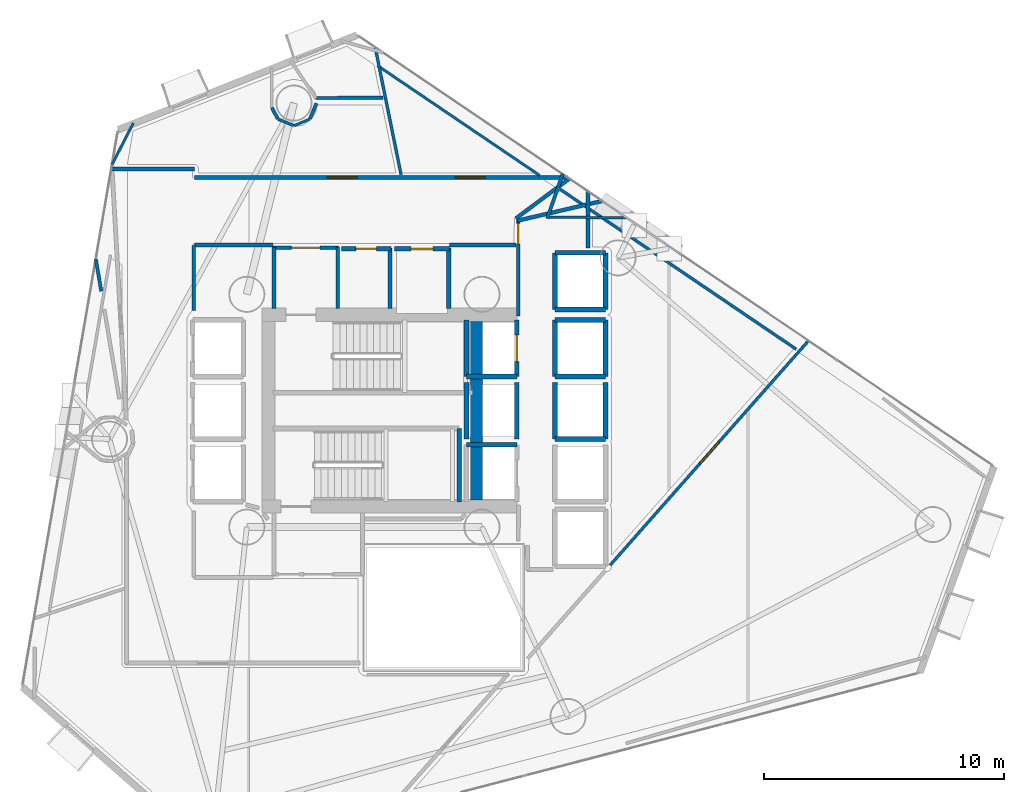
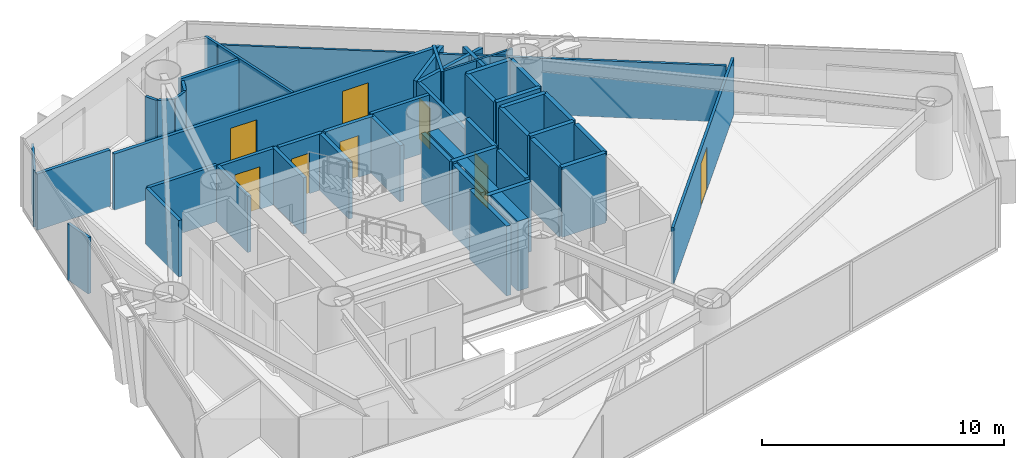
# One storey, part 17 of 21: 48 walls, 8 doors, 8 openings.
"""IFC4 building model written with IfcOpenShell, lengths in metres."""

from ifc_helpers import new_model, si_unit, direction, frame, frame_2d, origin, place, context, subcontext, project, spatial, rectangle, extrude, material, layer, layer_set, type_object, element, fill, save


model = new_model("IFC4")

# Units and contexts
model_context = context("Model", 3, precision=1e-05, world=origin(), true_north=direction((0.0, 1.0)))
body_context = subcontext(model_context, "Body", "Model", "MODEL_VIEW")
ifc_project = project(units=[si_unit("LENGTHUNIT", "METRE"), si_unit("AREAUNIT", "SQUARE_METRE"), si_unit("VOLUMEUNIT", "CUBIC_METRE"), si_unit("PLANEANGLEUNIT", "RADIAN"), si_unit("MASSUNIT", "GRAM", prefix="KILO")], contexts=[model_context])

# Site, building, storey
site_placement = place(None, origin())
site = spatial("IfcSite", under=ifc_project, at=site_placement, CompositionType="ELEMENT")
building_placement = place(site_placement, origin())
building = spatial("IfcBuilding", under=site, at=building_placement, Name="Qianvela Tower", CompositionType="ELEMENT")
storey_placement = place(building_placement, frame((0.0, 0.0, 105.199951171875)))
storey = spatial("IfcBuildingStorey", under=building, at=storey_placement, Name="L26", CompositionType="ELEMENT", Elevation=105.199951171875)

# Walls
ifc_material_1 = material(Name="Concrete C60", Category="concrete")
ifc_layer_1 = layer(ifc_material_1, 0.550048828125)
ifc_layer_set_1 = layer_set([ifc_layer_1], Name="Concrete C60")
wall_type_1 = type_object("IfcWallType", Name="WT-CORE-550", PredefinedType="SHEAR", material=ifc_layer_set_1)
wall_1_placement = place(storey_placement, frame((38.179931640625, 24.97998046875, 0.0), z_axis=(0.0, 0.0, 1.0), x_axis=(0.0, 1.0, 0.0)))
element("IfcWall", 1, at=wall_1_placement, inside=storey, type_object=wall_type_1, Name="L26 East Spine Core Shear Wall", PredefinedType="SHEAR", context=body_context, shape_type="SweptSolid", body=[
    extrude(rectangle(XDim=7.43994140625, YDim=0.5, at=frame_2d((3.719970703125, 0.0))), origin(), (0.0, 0.0, 1.0), 3.52001953125),
])
ifc_material_2 = material(Name="Fire-Rated Gypsum and Concrete Block", Category="concrete")
ifc_layer_2 = layer(ifc_material_2, 0.159912109375)
ifc_layer_set_2 = layer_set([ifc_layer_2], Name="Fire-Rated Gypsum and Concrete Block")
wall_type_2 = type_object("IfcWallType", Name="WT-CORR-160", PredefinedType="PARTITIONING", material=ifc_layer_set_2)
wall_2_placement = place(storey_placement, frame((29.73095703125, 32.9580078125, 0.0), z_axis=(0.0, 0.0, 1.0), x_axis=(0.0, 1.0, 0.0)))
element("IfcWall", 2, at=wall_2_placement, inside=storey, type_object=wall_type_2, Name="L26 Partition 2", PredefinedType="PARTITIONING", context=body_context, shape_type="SweptSolid", body=[
    extrude(rectangle(XDim=2.56201171875, YDim=0.159912109375, at=frame_2d((1.281005859375, 0.0))), origin(), (0.0, 0.0, 1.0), 2.840087890625),
])

# Wall, opening, door
wall_3_placement = place(storey_placement, frame((29.699951171875, 35.489013671875, 0.0), z_axis=(0.0, 0.0, 1.0), x_axis=(1.0, 0.0, 0.0)))
wall_3 = element("IfcWall", 3, at=wall_3_placement, inside=storey, type_object=wall_type_2, Name="L26 Partition 3", PredefinedType="PARTITIONING", context=body_context, shape_type="SweptSolid", body=[
    extrude(rectangle(XDim=2.719970703125, YDim=0.159912109375, at=frame_2d((1.35986328125, 0.0))), origin(), (0.0, 0.0, 1.0), 2.840087890625),
])
opening_1_placement = place(wall_3_placement, frame((0.760009765625, 0.0, 0.0)))
opening_1 = element("IfcOpeningElement", 4, at=opening_1_placement, cuts=wall_3, Name="Opening D-LB1", PredefinedType="OPENING", context=body_context, shape_type="SweptSolid", body=[
    extrude(rectangle(XDim=1.199951171875, YDim=2.14990234375, at=frame_2d((0.60009765625, 1.074951171875))), frame((0.0, 0.08984375, 0.0), z_axis=(0.0, -1.0, 0.0), x_axis=(1.0, 0.0, 0.0)), (0.0, 0.0, 1.0), 0.179931640625),
])
ifc_material_3 = material(Name="Glazed Fire-Rated Steel Frame", Category="steel")
door_type_1 = type_object("IfcDoorType", Name="DT-LOBBY-FD90", OperationType="NOTDEFINED", PredefinedType="DOOR", material=ifc_material_3)
door_1_placement = place(opening_1_placement, origin())
door_1 = element("IfcDoor", 5, at=door_1_placement, inside=storey, type_object=door_type_1, Name="L26 Door L26 Firefighting Lobby North to L26 Floor Corridor", OperationType="SINGLE_SWING_RIGHT", OverallHeight=2.14990234375, OverallWidth=1.199951171875, PredefinedType="DOOR", context=body_context, shape_type="SweptSolid", body=[
    extrude(rectangle(XDim=1.199951171875, YDim=2.14990234375, at=frame_2d((0.60009765625, 1.074951171875))), frame((0.0, 0.02490234375, 0.0), z_axis=(0.0, -1.0, 0.0), x_axis=(1.0, 0.0, 0.0)), (0.0, 0.0, 1.0), 0.050048828125),
])
fill(opening_1, door_1)

# Wall
wall_4_placement = place(storey_placement, frame((32.388916015625, 35.52001953125, 0.0), z_axis=(0.0, 0.0, 1.0), x_axis=(0.0, -1.0, 0.0)))
element("IfcWall", 6, at=wall_4_placement, inside=storey, type_object=wall_type_2, Name="L26 Partition 4", PredefinedType="PARTITIONING", context=body_context, shape_type="SweptSolid", body=[
    extrude(rectangle(XDim=2.56201171875, YDim=0.159912109375, at=frame_2d((1.281005859375, 0.0))), origin(), (0.0, 0.0, 1.0), 2.840087890625),
])

# Wall, opening, door
wall_5_placement = place(storey_placement, frame((39.910888671875, 32.639892578125, 0.0), z_axis=(0.0, 0.0, 1.0), x_axis=(0.0, 1.0, 0.0)))
wall_5 = element("IfcWall", 7, at=wall_5_placement, inside=storey, type_object=wall_type_2, Name="L26 Partition 10", PredefinedType="PARTITIONING", context=body_context, shape_type="SweptSolid", body=[
    extrude(rectangle(XDim=4.010009765625, YDim=0.159912109375, at=frame_2d((2.0048828125, 0.0))), origin(), (0.0, 0.0, 1.0), 2.840087890625),
])
opening_2_placement = place(wall_5_placement, frame((3.010009765625, 0.0, 0.0)))
opening_2 = element("IfcOpeningElement", 8, at=opening_2_placement, cuts=wall_5, Name="Opening D-LB2", PredefinedType="OPENING", context=body_context, shape_type="SweptSolid", body=[
    extrude(rectangle(XDim=0.860107421875, YDim=2.050048828125, at=frame_2d((0.43017578125, 1.02490234375))), frame((0.0, 0.08984375, 0.0), z_axis=(0.0, -1.0, 0.0), x_axis=(1.0, 0.0, 0.0)), (0.0, 0.0, 1.0), 0.179931640625),
])
ifc_material_4 = material(Name="Insulated Steel Fire Door Q355B", Category="steel")
door_type_2 = type_object("IfcDoorType", Name="DT-LOBBY-FD90-860", OperationType="NOTDEFINED", PredefinedType="DOOR", material=ifc_material_4)
door_2_placement = place(opening_2_placement, origin())
door_2 = element("IfcDoor", 9, at=door_2_placement, inside=storey, type_object=door_type_2, Name="L26 Door L26 Lift Lobby to L26 Floor Corridor", OperationType="SINGLE_SWING_LEFT", OverallHeight=2.050048828125, OverallWidth=0.860107421875, PredefinedType="DOOR", context=body_context, shape_type="SweptSolid", body=[
    extrude(rectangle(XDim=0.860107421875, YDim=2.050048828125, at=frame_2d((0.43017578125, 1.02490234375))), frame((0.0, 0.02490234375, 0.0), z_axis=(0.0, -1.0, 0.0), x_axis=(1.0, 0.0, 0.0)), (0.0, 0.0, 1.0), 0.050048828125),
])
fill(opening_2, door_2)

# Walls
wall_6_placement = place(storey_placement, frame((39.8798828125, 36.618896484375, 0.0), z_axis=(0.0, 0.0, 1.0), x_axis=(0.973960950435, 0.2267158288, 0.0)))
element("IfcWall", 10, at=wall_6_placement, inside=storey, type_object=wall_type_2, Name="L26 Partition 11", PredefinedType="PARTITIONING", context=body_context, shape_type="SweptSolid", body=[
    extrude(rectangle(XDim=3.620361328125, YDim=0.159912109375, at=frame_2d((1.81005859375, 0.0))), origin(), (0.0, 0.0, 1.0), 2.840087890625),
])
wall_7_placement = place(storey_placement, frame((42.819091796875, 37.857177734375, 0.0), z_axis=(0.0, 0.0, 1.0), x_axis=(0.0, -1.0, 0.0)))
element("IfcWall", 11, at=wall_7_placement, inside=storey, type_object=wall_type_2, Name="L26 Partition 12", PredefinedType="PARTITIONING", context=body_context, shape_type="SweptSolid", body=[
    extrude(rectangle(XDim=2.377197265625, YDim=0.159912109375, at=frame_2d((1.1884765625, 0.0))), origin(), (0.0, 0.0, 1.0), 2.840087890625),
])
wall_8_placement = place(storey_placement, frame((22.93359375, 38.76904296875, 0.0), z_axis=(0.0, 0.0, 1.0), x_axis=(1.0, 0.0, 0.0)))
element("IfcWall", 12, at=wall_8_placement, inside=storey, type_object=wall_type_2, Name="L26 Partition 41", PredefinedType="PARTITIONING", context=body_context, shape_type="SweptSolid", body=[
    extrude(rectangle(XDim=3.486328125, YDim=0.159912109375, at=frame_2d((1.7431640625, 0.0))), origin(), (0.0, 0.0, 1.0), 2.840087890625),
])

# Wall, openings, doors
wall_9_placement = place(storey_placement, frame((26.419921875, 38.4189453125, 0.0), z_axis=(0.0, 0.0, 1.0), x_axis=(1.0, 0.0, 0.0)))
wall_9 = element("IfcWall", 13, at=wall_9_placement, inside=storey, type_object=wall_type_2, Name="L26 Partition 42", PredefinedType="PARTITIONING", context=body_context, shape_type="SweptSolid", body=[
    extrude(rectangle(XDim=15.56005859375, YDim=0.159912109375, at=frame_2d((7.780029296875, 0.0))), origin(), (0.0, 0.0, 1.0), 2.840087890625),
])
opening_3_placement = place(wall_9_placement, frame((10.865478515625, 0.0, 0.0)))
opening_3 = element("IfcOpeningElement", 14, at=opening_3_placement, cuts=wall_9, Name="Opening D-LG1", PredefinedType="OPENING", context=body_context, shape_type="SweptSolid", body=[
    extrude(rectangle(XDim=1.25, YDim=2.199951171875, at=frame_2d((0.625, 1.10009765625))), frame((0.0, 0.08984375, 0.0), z_axis=(0.0, -1.0, 0.0), x_axis=(1.0, 0.0, 0.0)), (0.0, 0.0, 1.0), 0.179931640625),
])
opening_4_placement = place(wall_9_placement, frame((5.531982421875, 0.0, 0.0)))
opening_4 = element("IfcOpeningElement", 15, at=opening_4_placement, cuts=wall_9, Name="Opening D-LG1", PredefinedType="OPENING", context=body_context, shape_type="SweptSolid", body=[
    extrude(rectangle(XDim=1.25, YDim=2.199951171875, at=frame_2d((0.625, 1.10009765625))), frame((0.0, 0.08984375, 0.0), z_axis=(0.0, -1.0, 0.0), x_axis=(1.0, 0.0, 0.0)), (0.0, 0.0, 1.0), 0.179931640625),
])
ifc_material_5 = material(Name="Anodised Aluminium Acoustic Glass Door", Category="aluminium")
door_type_3 = type_object("IfcDoorType", Name="DT-LOUNGE-1250", OperationType="NOTDEFINED", PredefinedType="DOOR", material=ifc_material_5)
door_3_placement = place(opening_3_placement, origin())
door_3 = element("IfcDoor", 16, at=door_3_placement, inside=storey, type_object=door_type_3, Name="L26 Door Quiet Desk Workspace L26-02 to L26 Floor Corridor", OperationType="SINGLE_SWING_RIGHT", OverallHeight=2.199951171875, OverallWidth=1.25, PredefinedType="DOOR", context=body_context, shape_type="SweptSolid", body=[
    extrude(rectangle(XDim=1.25, YDim=2.199951171875, at=frame_2d((0.625, 1.10009765625))), frame((0.0, 0.02490234375, 0.0), z_axis=(0.0, -1.0, 0.0), x_axis=(1.0, 0.0, 0.0)), (0.0, 0.0, 1.0), 0.050048828125),
])
fill(opening_3, door_3)
door_4_placement = place(opening_4_placement, origin())
door_4 = element("IfcDoor", 17, at=door_4_placement, inside=storey, type_object=door_type_3, Name="L26 Door Academic Cellular Office L26-03 to L26 Floor Corridor", OperationType="SINGLE_SWING_LEFT", OverallHeight=2.199951171875, OverallWidth=1.25, PredefinedType="DOOR", context=body_context, shape_type="SweptSolid", body=[
    extrude(rectangle(XDim=1.25, YDim=2.199951171875, at=frame_2d((0.625, 1.10009765625))), frame((0.0, 0.02490234375, 0.0), z_axis=(0.0, -1.0, 0.0), x_axis=(1.0, 0.0, 0.0)), (0.0, 0.0, 1.0), 0.050048828125),
])
fill(opening_4, door_4)

# Walls
wall_10_placement = place(storey_placement, frame((42.05322265625, 38.378662109375, 0.0), z_axis=(0.0, 0.0, 1.0), x_axis=(-0.802246834953, -0.596992475504, 0.0)))
element("IfcWall", 18, at=wall_10_placement, inside=storey, type_object=wall_type_2, Name="L26 Partition 44", PredefinedType="PARTITIONING", context=body_context, shape_type="SweptSolid", body=[
    extrude(rectangle(XDim=2.79638671875, YDim=0.159912109375, at=frame_2d((1.398193359375, 0.0))), origin(), (0.0, 0.0, 1.0), 2.840087890625),
])
wall_11_placement = place(storey_placement, frame((39.818115234375, 35.611083984375, 0.0), z_axis=(0.0, 0.0, 1.0), x_axis=(-1.0, 0.0, 0.0)))
element("IfcWall", 19, at=wall_11_placement, inside=storey, type_object=wall_type_2, Name="L26 Partition 46 seg 1", PredefinedType="PARTITIONING", context=body_context, shape_type="SweptSolid", body=[
    extrude(rectangle(XDim=2.76806640625, YDim=0.159912109375, at=frame_2d((1.384033203125, 0.0))), origin(), (0.0, 0.0, 1.0), 2.840087890625),
])
wall_12_placement = place(storey_placement, frame((29.699951171875, 35.611083984375, 0.0), z_axis=(0.0, 0.0, 1.0), x_axis=(-1.0, 0.0, 0.0)))
element("IfcWall", 20, at=wall_12_placement, inside=storey, type_object=wall_type_2, Name="L26 Partition 46 seg 4", PredefinedType="PARTITIONING", context=body_context, shape_type="SweptSolid", body=[
    extrude(rectangle(XDim=3.280029296875, YDim=0.159912109375, at=frame_2d((1.64013671875, 0.0))), origin(), (0.0, 0.0, 1.0), 2.840087890625),
])
wall_13_placement = place(storey_placement, frame((26.388916015625, 35.580078125, 0.0), z_axis=(0.0, 0.0, 1.0), x_axis=(0.0, -1.0, 0.0)))
element("IfcWall", 21, at=wall_13_placement, inside=storey, type_object=wall_type_2, Name="L26 Partition 47", PredefinedType="PARTITIONING", context=body_context, shape_type="SweptSolid", body=[
    extrude(rectangle(XDim=2.71044921875, YDim=0.159912109375, at=frame_2d((1.355224609375, 0.0))), origin(), (0.0, 0.0, 1.0), 2.840087890625),
])
ifc_material_6 = material(Name="Lightweight Gypsum Room Partition")
ifc_layer_3 = layer(ifc_material_6, 0.10498046875)
ifc_layer_set_3 = layer_set([ifc_layer_3], Name="Lightweight Gypsum Room Partition")
wall_type_3 = type_object("IfcWallType", Name="WT-PART-105", PredefinedType="PARTITIONING", material=ifc_layer_set_3)
wall_14_placement = place(storey_placement, frame((44.45361328125, 36.743408203125, 0.0), z_axis=(0.0, 0.0, 1.0), x_axis=(-0.999986322379, 0.005230205958, 0.0)))
element("IfcWall", 22, at=wall_14_placement, inside=storey, type_object=wall_type_3, Name="L26 Partition 77", PredefinedType="PARTITIONING", context=body_context, shape_type="SweptSolid", body=[
    extrude(rectangle(XDim=3.36083984375, YDim=0.10498046875, at=frame_2d((1.680419921875, 0.0))), origin(), (0.0, 0.0, 1.0), 2.840087890625),
])
wall_15_placement = place(storey_placement, frame((34.05224609375, 43.079833984375, 0.0), z_axis=(0.0, 0.0, 1.0), x_axis=(0.827934826591, -0.560824324471, 0.0)))
element("IfcWall", 23, at=wall_15_placement, inside=storey, type_object=wall_type_3, Name="L26 Partition 83", PredefinedType="PARTITIONING", context=body_context, shape_type="SweptSolid", body=[
    extrude(rectangle(XDim=8.158447265625, YDim=0.10498046875, at=frame_2d((4.0791015625, 0.0))), origin(), (0.0, 0.0, 1.0), 2.840087890625),
])
wall_16_placement = place(storey_placement, frame((22.988037109375, 38.96826171875, 0.0), z_axis=(0.0, 0.0, 1.0), x_axis=(0.456105833623, 0.889925541006, 0.0)))
element("IfcWall", 24, at=wall_16_placement, inside=storey, type_object=wall_type_3, Name="L26 Partition 86", PredefinedType="PARTITIONING", context=body_context, shape_type="SweptSolid", body=[
    extrude(rectangle(XDim=1.927978515625, YDim=0.10498046875, at=frame_2d((0.9638671875, 0.0))), origin(), (0.0, 0.0, 1.0), 2.840087890625),
])
wall_17_placement = place(storey_placement, frame((30.575927734375, 40.58251953125, 0.0), z_axis=(0.0, 0.0, 1.0), x_axis=(0.923935648299, 0.382547928764, 0.0)))
element("IfcWall", 25, at=wall_17_placement, inside=storey, type_object=wall_type_3, Name="L26 Partition 98", PredefinedType="PARTITIONING", context=body_context, shape_type="SweptSolid", body=[
    extrude(rectangle(XDim=0.6962890625, YDim=0.10498046875, at=frame_2d((0.34814453125, 0.0))), origin(), (0.0, 0.0, 1.0), 2.840087890625),
])

# Wall, opening, door
ifc_material_7 = material(Name="Insulated Gypsum Stud Partition")
ifc_layer_4 = layer(ifc_material_7, 0.1201171875)
ifc_layer_set_4 = layer_set([ifc_layer_4], Name="Insulated Gypsum Stud Partition")
wall_type_4 = type_object("IfcWallType", Name="WT-PART-120", PredefinedType="PARTITIONING", material=ifc_layer_set_4)
wall_18_placement = place(storey_placement, frame((43.74267578125, 22.263916015625, 0.0), z_axis=(0.0, 0.0, 1.0), x_axis=(0.662202897959, 0.749324577159, 0.0)))
wall_18 = element("IfcWall", 26, at=wall_18_placement, inside=storey, type_object=wall_type_4, Name="L26 Partition 64", PredefinedType="PARTITIONING", context=body_context, shape_type="SweptSolid", body=[
    extrude(rectangle(XDim=12.498291015625, YDim=0.1201171875, at=frame_2d((6.2490234375, 0.0))), origin(), (0.0, 0.0, 1.0), 2.840087890625),
])
opening_5_placement = place(wall_18_placement, frame((5.6240234375, 0.0, 0.0)))
opening_5 = element("IfcOpeningElement", 27, at=opening_5_placement, cuts=wall_18, Name="Opening D-LG1", PredefinedType="OPENING", context=body_context, shape_type="SweptSolid", body=[
    extrude(rectangle(XDim=1.25, YDim=2.199951171875, at=frame_2d((0.625, 1.10009765625))), frame((0.0, 0.070068359375, 0.0), z_axis=(0.0, -1.0, 0.0), x_axis=(1.0, 0.0, 0.0)), (0.0, 0.0, 1.0), 0.14013671875),
])
door_5_placement = place(opening_5_placement, origin())
door_5 = element("IfcDoor", 28, at=door_5_placement, inside=storey, type_object=door_type_3, Name="L26 Door Academic Cellular Office L26-01C to Quiet Desk Workspace L26-01B", OperationType="SINGLE_SWING_RIGHT", OverallHeight=2.199951171875, OverallWidth=1.25, PredefinedType="DOOR", context=body_context, shape_type="SweptSolid", body=[
    extrude(rectangle(XDim=1.25, YDim=2.199951171875, at=frame_2d((0.625, 1.10009765625))), frame((0.0, 0.02490234375, 0.0), z_axis=(0.0, -1.0, 0.0), x_axis=(1.0, 0.0, 0.0)), (0.0, 0.0, 1.0), 0.050048828125),
])
fill(opening_5, door_5)

# Walls
wall_19_placement = place(storey_placement, frame((41.650146484375, 37.93310546875, 0.0), z_axis=(0.0, 0.0, 1.0), x_axis=(0.827941747022, -0.560814107827, 0.0)))
element("IfcWall", 29, at=wall_19_placement, inside=storey, type_object=wall_type_4, Name="L26 Partition 79", PredefinedType="PARTITIONING", context=body_context, shape_type="SweptSolid", body=[
    extrude(rectangle(XDim=11.89501953125, YDim=0.1201171875, at=frame_2d((5.947509765625, 0.0))), origin(), (0.0, 0.0, 1.0), 2.840087890625),
])
wall_20_placement = place(storey_placement, frame((35.029052734375, 38.5361328125, 0.0), z_axis=(0.0, 0.0, 1.0), x_axis=(-0.198965568746, 0.980006480822, 0.0)))
element("IfcWall", 30, at=wall_20_placement, inside=storey, type_object=wall_type_4, Name="L26 Partition 82", PredefinedType="PARTITIONING", context=body_context, shape_type="SweptSolid", body=[
    extrude(rectangle(XDim=5.435791015625, YDim=0.1201171875, at=frame_2d((2.7177734375, 0.0))), origin(), (0.0, 0.0, 1.0), 2.840087890625),
])
wall_21_placement = place(storey_placement, frame((29.90869140625, 40.848876953125, 0.0), z_axis=(0.0, 0.0, 1.0), x_axis=(0.923935648299, -0.382547928764, 0.0)))
element("IfcWall", 31, at=wall_21_placement, inside=storey, type_object=wall_type_4, Name="L26 Partition 97", PredefinedType="PARTITIONING", context=body_context, shape_type="SweptSolid", body=[
    extrude(rectangle(XDim=0.6962890625, YDim=0.1201171875, at=frame_2d((0.34814453125, 0.0))), origin(), (0.0, 0.0, 1.0), 2.840087890625),
])

# Wall, opening, door
ifc_material_8 = material(Name="Moisture-Resistant Acoustic Plumbing Wall")
ifc_layer_5 = layer(ifc_material_8, 0.175048828125)
ifc_layer_set_5 = layer_set([ifc_layer_5], Name="Moisture-Resistant Acoustic Plumbing Wall")
wall_type_5 = type_object("IfcWallType", Name="WT-PLUMB-175", PredefinedType="PLUMBINGWALL", material=ifc_layer_set_5)
wall_22_placement = place(storey_placement, frame((32.550048828125, 35.448974609375, 0.0), z_axis=(0.0, 0.0, 1.0), x_axis=(1.0, 0.0, 0.0)))
wall_22 = element("IfcWall", 32, at=wall_22_placement, inside=storey, type_object=wall_type_5, Name="L26 Partition 20", PredefinedType="PLUMBINGWALL", context=body_context, shape_type="SweptSolid", body=[
    extrude(rectangle(XDim=2.050048828125, YDim=0.175048828125, at=frame_2d((1.02490234375, 0.0))), origin(), (0.0, 0.0, 1.0), 2.840087890625),
])
opening_6_placement = place(wall_22_placement, frame((0.594970703125, 0.0, 0.0)))
opening_6 = element("IfcOpeningElement", 33, at=opening_6_placement, cuts=wall_22, Name="Opening D-WC1", PredefinedType="OPENING", context=body_context, shape_type="SweptSolid", body=[
    extrude(rectangle(XDim=0.860107421875, YDim=2.050048828125, at=frame_2d((0.43017578125, 1.02490234375))), frame((0.0, 0.097412109375, 0.0), z_axis=(0.0, -1.0, 0.0), x_axis=(1.0, 0.0, 0.0)), (0.0, 0.0, 1.0), 0.195068359375),
])
ifc_material_9 = material(Name="Moisture-Sealed Acoustic Timber Door", Category="wood")
door_type_4 = type_object("IfcDoorType", Name="DT-WC-860", OperationType="NOTDEFINED", PredefinedType="DOOR", material=ifc_material_9)
door_6_placement = place(opening_6_placement, origin())
door_6 = element("IfcDoor", 34, at=door_6_placement, inside=storey, type_object=door_type_4, Name="L26 Door L26 Accessible WC to L26 Floor Corridor", OperationType="SINGLE_SWING_RIGHT", OverallHeight=2.050048828125, OverallWidth=0.860107421875, PredefinedType="DOOR", context=body_context, shape_type="SweptSolid", body=[
    extrude(rectangle(XDim=0.860107421875, YDim=2.050048828125, at=frame_2d((0.43017578125, 1.02490234375))), frame((0.0, 0.02490234375, 0.0), z_axis=(0.0, -1.0, 0.0), x_axis=(1.0, 0.0, 0.0)), (0.0, 0.0, 1.0), 0.050048828125),
])
fill(opening_6, door_6)

# Wall
wall_23_placement = place(storey_placement, frame((34.569091796875, 35.47998046875, 0.0), z_axis=(0.0, 0.0, 1.0), x_axis=(0.0, -1.0, 0.0)))
element("IfcWall", 35, at=wall_23_placement, inside=storey, type_object=wall_type_5, Name="L26 Partition 21", PredefinedType="PLUMBINGWALL", context=body_context, shape_type="SweptSolid", body=[
    extrude(rectangle(XDim=2.52197265625, YDim=0.175048828125, at=frame_2d((1.260986328125, 0.0))), origin(), (0.0, 0.0, 1.0), 2.840087890625),
])

# Wall, opening, door
wall_24_placement = place(storey_placement, frame((34.75, 35.448974609375, 0.0), z_axis=(0.0, 0.0, 1.0), x_axis=(1.0, 0.0, 0.0)))
wall_24 = element("IfcWall", 36, at=wall_24_placement, inside=storey, type_object=wall_type_5, Name="L26 Partition 24", PredefinedType="PLUMBINGWALL", context=body_context, shape_type="SweptSolid", body=[
    extrude(rectangle(XDim=2.300048828125, YDim=0.175048828125, at=frame_2d((1.14990234375, 0.0))), origin(), (0.0, 0.0, 1.0), 2.840087890625),
])
opening_7_placement = place(wall_24_placement, frame((0.699951171875, 0.0, 0.0)))
opening_7 = element("IfcOpeningElement", 37, at=opening_7_placement, cuts=wall_24, Name="Opening D-KT1", PredefinedType="OPENING", context=body_context, shape_type="SweptSolid", body=[
    extrude(rectangle(XDim=0.89990234375, YDim=2.10009765625, at=frame_2d((0.449951171875, 1.050048828125))), frame((0.0, 0.097412109375, 0.0), z_axis=(0.0, -1.0, 0.0), x_axis=(1.0, 0.0, 0.0)), (0.0, 0.0, 1.0), 0.195068359375),
])
ifc_material_10 = material(Name="Glazed Timber Kitchen Door", Category="wood")
door_type_5 = type_object("IfcDoorType", Name="DT-KITCH-900", OperationType="NOTDEFINED", PredefinedType="DOOR", material=ifc_material_10)
door_7_placement = place(opening_7_placement, origin())
door_7 = element("IfcDoor", 38, at=door_7_placement, inside=storey, type_object=door_type_5, Name="L26 Door L26 Core Tea Pantry to L26 Floor Corridor", OperationType="SINGLE_SWING_LEFT", OverallHeight=2.10009765625, OverallWidth=0.89990234375, PredefinedType="DOOR", context=body_context, shape_type="SweptSolid", body=[
    extrude(rectangle(XDim=0.89990234375, YDim=2.10009765625, at=frame_2d((0.449951171875, 1.050048828125))), frame((0.0, 0.02490234375, 0.0), z_axis=(0.0, -1.0, 0.0), x_axis=(1.0, 0.0, 0.0)), (0.0, 0.0, 1.0), 0.050048828125),
])
fill(opening_7, door_7)

# Walls
wall_25_placement = place(storey_placement, frame((37.01904296875, 35.47998046875, 0.0), z_axis=(0.0, 0.0, 1.0), x_axis=(0.0, -1.0, 0.0)))
element("IfcWall", 39, at=wall_25_placement, inside=storey, type_object=wall_type_5, Name="L26 Partition 25", PredefinedType="PLUMBINGWALL", context=body_context, shape_type="SweptSolid", body=[
    extrude(rectangle(XDim=2.52197265625, YDim=0.175048828125, at=frame_2d((1.260986328125, 0.0))), origin(), (0.0, 0.0, 1.0), 2.840087890625),
])
ifc_material_11 = material(Name="Acoustic Double Gypsum Stud Partition")
ifc_layer_6 = layer(ifc_material_11, 0.139892578125)
ifc_layer_set_6 = layer_set([ifc_layer_6], Name="Acoustic Double Gypsum Stud Partition")
wall_type_6 = type_object("IfcWallType", Name="WT-ROOM-140", PredefinedType="PARTITIONING", material=ifc_layer_set_6)
wall_26_placement = place(storey_placement, frame((41.121826171875, 36.7197265625, 0.0), z_axis=(0.0, 0.0, 1.0), x_axis=(0.329225111587, 0.944251463277, 0.0)))
element("IfcWall", 40, at=wall_26_placement, inside=storey, type_object=wall_type_6, Name="L26 Partition 78", PredefinedType="PARTITIONING", context=body_context, shape_type="SweptSolid", body=[
    extrude(rectangle(XDim=1.962158203125, YDim=0.139892578125, at=frame_2d((0.98095703125, 0.0))), origin(), (0.0, 0.0, 1.0), 2.840087890625),
])
wall_27_placement = place(storey_placement, frame((34.267333984375, 41.739990234375, 0.0), z_axis=(0.0, 0.0, 1.0), x_axis=(-0.999996830361, -0.002517790248, 0.0)))
element("IfcWall", 41, at=wall_27_placement, inside=storey, type_object=wall_type_6, Name="L26 Partition 90", PredefinedType="PARTITIONING", context=body_context, shape_type="SweptSolid", body=[
    extrude(rectangle(XDim=2.81201171875, YDim=0.139892578125, at=frame_2d((1.406005859375, 0.0))), origin(), (0.0, 0.0, 1.0), 2.840087890625),
])
wall_28_placement = place(storey_placement, frame((29.64404296875, 41.328857421875, 0.0), z_axis=(0.0, 0.0, 1.0), x_axis=(0.471618839574, -0.881802511994, 0.0)))
element("IfcWall", 42, at=wall_28_placement, inside=storey, type_object=wall_type_6, Name="L26 Partition 96", PredefinedType="PARTITIONING", context=body_context, shape_type="SweptSolid", body=[
    extrude(rectangle(XDim=0.528564453125, YDim=0.139892578125, at=frame_2d((0.26416015625, 0.0))), origin(), (0.0, 0.0, 1.0), 2.840087890625),
])
wall_29_placement = place(storey_placement, frame((31.236083984375, 40.86572265625, 0.0), z_axis=(0.0, 0.0, 1.0), x_axis=(0.381929177829, 0.92419159438, 0.0)))
element("IfcWall", 43, at=wall_29_placement, inside=storey, type_object=wall_type_6, Name="L26 Partition 99", PredefinedType="PARTITIONING", context=body_context, shape_type="SweptSolid", body=[
    extrude(rectangle(XDim=0.697509765625, YDim=0.139892578125, at=frame_2d((0.3486328125, 0.0))), origin(), (0.0, 0.0, 1.0), 2.840087890625),
])
wall_30_placement = place(storey_placement, frame((22.308349609375, 35.017333984375, 0.0), z_axis=(0.0, 0.0, 1.0), x_axis=(0.166093075261, -0.98611008024, 0.0)))
element("IfcWall", 44, at=wall_30_placement, inside=storey, type_object=wall_type_6, Name="L26 Partition 114 seg 1 trim 1", PredefinedType="PARTITIONING", context=body_context, shape_type="SweptSolid", body=[
    extrude(rectangle(XDim=1.355224609375, YDim=0.139892578125, at=frame_2d((0.677734375, 0.0))), origin(), (0.0, 0.0, 1.0), 2.840087890625),
])
ifc_material_12 = material(Name="Concrete C50", Category="concrete")
ifc_layer_7 = layer(ifc_material_12, 0.199951171875)
ifc_layer_set_7 = layer_set([ifc_layer_7], Name="Concrete C50")
wall_type_7 = type_object("IfcWallType", Name="WT-SHAFT-200", PredefinedType="SOLIDWALL", material=ifc_layer_set_7)
wall_31_placement = place(storey_placement, frame((37.449951171875, 24.89990234375, 0.0), z_axis=(0.0, 0.0, 1.0), x_axis=(0.0, 1.0, 0.0)))
element("IfcWall", 45, at=wall_31_placement, inside=storey, type_object=wall_type_7, Name="L26 Stair ST-2 East Wall", PredefinedType="SOLIDWALL", context=body_context, shape_type="SweptSolid", body=[
    extrude(rectangle(XDim=3.06005859375, YDim=0.199951171875, at=frame_2d((1.530029296875, 0.0))), origin(), (0.0, 0.0, 1.0), 3.52001953125),
])

# Wall, opening, door
wall_32_placement = place(storey_placement, frame((39.85009765625, 30.1201171875, 0.0), z_axis=(0.0, 0.0, 1.0), x_axis=(0.0, 1.0, 0.0)))
wall_32 = element("IfcWall", 46, at=wall_32_placement, inside=storey, type_object=wall_type_7, Name="L26 Lift FL-1 E Shaft Wall", PredefinedType="SOLIDWALL", context=body_context, shape_type="SweptSolid", body=[
    extrude(rectangle(XDim=2.35986328125, YDim=0.199951171875, at=frame_2d((1.179931640625, 0.0))), origin(), (0.0, 0.0, 1.0), 3.52001953125),
])
opening_8_placement = place(wall_32_placement, frame((0.6298828125, 0.0, 0.0)))
opening_8 = element("IfcOpeningElement", 47, at=opening_8_placement, cuts=wall_32, Name="Opening LD-01", PredefinedType="OPENING", context=body_context, shape_type="SweptSolid", body=[
    extrude(rectangle(XDim=1.10009765625, YDim=2.14990234375, at=frame_2d((0.550048828125, 1.074951171875))), frame((0.0, 0.10986328125, 0.0), z_axis=(0.0, -1.0, 0.0), x_axis=(1.0, 0.0, 0.0)), (0.0, 0.0, 1.0), 0.219970703125),
])
ifc_material_13 = material(Name="Brushed Stainless Steel Lift Landing Door", Category="steel")
door_type_6 = type_object("IfcDoorType", Name="DT-LIFT-SLIDE-1100", OperationType="SLIDING_TO_LEFT", PredefinedType="DOOR", material=ifc_material_13)
door_8_placement = place(opening_8_placement, origin())
door_8 = element("IfcDoor", 48, at=door_8_placement, inside=storey, type_object=door_type_6, Name="L26 Lift FL-1 Sliding Landing Door", OperationType="SLIDING_TO_LEFT", OverallHeight=2.14990234375, OverallWidth=1.10009765625, PredefinedType="DOOR", context=body_context, shape_type="SweptSolid", body=[
    extrude(rectangle(XDim=1.10009765625, YDim=2.14990234375, at=frame_2d((0.550048828125, 1.074951171875))), frame((0.0, 0.02490234375, 0.0), z_axis=(0.0, -1.0, 0.0), x_axis=(1.0, 0.0, 0.0)), (0.0, 0.0, 1.0), 0.050048828125),
])
fill(opening_8, door_8)

# Walls
wall_33_placement = place(storey_placement, frame((37.75, 30.1201171875, 0.0), z_axis=(0.0, 0.0, 1.0), x_axis=(0.0, 1.0, 0.0)))
element("IfcWall", 49, at=wall_33_placement, inside=storey, type_object=wall_type_7, Name="L26 Lift FL-1 W Shaft Wall", PredefinedType="SOLIDWALL", context=body_context, shape_type="SweptSolid", body=[
    extrude(rectangle(XDim=2.35986328125, YDim=0.199951171875, at=frame_2d((1.179931640625, 0.0))), origin(), (0.0, 0.0, 1.0), 3.52001953125),
])
for number, where, z_axis, x_axis, name in (
    (50, (37.75, 30.1201171875, 0.0), (0.0, 0.0, 1.0), (1.0, 0.0, 0.0), "L26 Lift FL-1 S Shaft Wall"),
    (51, (37.75, 27.280029296875, 0.0), (0.0, 0.0, 1.0), (1.0, 0.0, 0.0), "L26 Lift FL-2 N Shaft Wall"),
):
    element("IfcWall", number, at=place(storey_placement, frame(where, z_axis=z_axis, x_axis=x_axis)), inside=storey, type_object=wall_type_7, Name=name, PredefinedType="SOLIDWALL", context=body_context, shape_type="SweptSolid", body=[
        extrude(rectangle(XDim=2.10009765625, YDim=0.199951171875, at=frame_2d((1.050048828125, 0.0))), origin(), (0.0, 0.0, 1.0), 3.52001953125),
    ])
for number, where, z_axis, x_axis, name in (
    (52, (43.550048828125, 30.1201171875, 0.0), (0.0, 0.0, 1.0), (0.0, 1.0, 0.0), "L26 Lift PL-M1 E Shaft Wall"),
    (53, (41.449951171875, 30.1201171875, 0.0), (0.0, 0.0, 1.0), (0.0, 1.0, 0.0), "L26 Lift PL-M1 W Shaft Wall"),
):
    element("IfcWall", number, at=place(storey_placement, frame(where, z_axis=z_axis, x_axis=x_axis)), inside=storey, type_object=wall_type_7, Name=name, PredefinedType="SOLIDWALL", context=body_context, shape_type="SweptSolid", body=[
        extrude(rectangle(XDim=2.35986328125, YDim=0.199951171875, at=frame_2d((1.179931640625, 0.0))), origin(), (0.0, 0.0, 1.0), 3.52001953125),
    ])
for number, where, z_axis, x_axis, name in (
    (54, (41.449951171875, 32.47998046875, 0.0), (0.0, 0.0, 1.0), (1.0, 0.0, 0.0), "L26 Lift PL-M1 N Shaft Wall"),
    (55, (41.449951171875, 30.1201171875, 0.0), (0.0, 0.0, 1.0), (1.0, 0.0, 0.0), "L26 Lift PL-M1 S Shaft Wall"),
):
    element("IfcWall", number, at=place(storey_placement, frame(where, z_axis=z_axis, x_axis=x_axis)), inside=storey, type_object=wall_type_7, Name=name, PredefinedType="SOLIDWALL", context=body_context, shape_type="SweptSolid", body=[
        extrude(rectangle(XDim=2.10009765625, YDim=0.199951171875, at=frame_2d((1.050048828125, 0.0))), origin(), (0.0, 0.0, 1.0), 3.52001953125),
    ])
for number, where, z_axis, x_axis, name in (
    (56, (43.550048828125, 27.52001953125, 0.0), (0.0, 0.0, 1.0), (0.0, 1.0, 0.0), "L26 Lift PL-M2 E Shaft Wall"),
    (57, (41.449951171875, 27.52001953125, 0.0), (0.0, 0.0, 1.0), (0.0, 1.0, 0.0), "L26 Lift PL-M2 W Shaft Wall"),
):
    element("IfcWall", number, at=place(storey_placement, frame(where, z_axis=z_axis, x_axis=x_axis)), inside=storey, type_object=wall_type_7, Name=name, PredefinedType="SOLIDWALL", context=body_context, shape_type="SweptSolid", body=[
        extrude(rectangle(XDim=2.35986328125, YDim=0.199951171875, at=frame_2d((1.179931640625, 0.0))), origin(), (0.0, 0.0, 1.0), 3.52001953125),
    ])
wall_34_placement = place(storey_placement, frame((41.449951171875, 27.52001953125, 0.0), z_axis=(0.0, 0.0, 1.0), x_axis=(1.0, 0.0, 0.0)))
element("IfcWall", 58, at=wall_34_placement, inside=storey, type_object=wall_type_7, Name="L26 Lift PL-M2 S Shaft Wall", PredefinedType="SOLIDWALL", context=body_context, shape_type="SweptSolid", body=[
    extrude(rectangle(XDim=2.10009765625, YDim=0.199951171875, at=frame_2d((1.050048828125, 0.0))), origin(), (0.0, 0.0, 1.0), 3.52001953125),
])
for number, where, z_axis, x_axis, name in (
    (59, (39.85009765625, 27.52001953125, 0.0), (0.0, 0.0, 1.0), (0.0, 1.0, 0.0), "L26 Lift PL-H1 E Shaft Wall"),
    (60, (37.75, 27.52001953125, 0.0), (0.0, 0.0, 1.0), (0.0, 1.0, 0.0), "L26 Lift PL-H1 W Shaft Wall"),
):
    element("IfcWall", number, at=place(storey_placement, frame(where, z_axis=z_axis, x_axis=x_axis)), inside=storey, type_object=wall_type_7, Name=name, PredefinedType="SOLIDWALL", context=body_context, shape_type="SweptSolid", body=[
        extrude(rectangle(XDim=2.35986328125, YDim=0.199951171875, at=frame_2d((1.179931640625, 0.0))), origin(), (0.0, 0.0, 1.0), 3.52001953125),
    ])
for number, where, z_axis, x_axis, name in (
    (61, (43.550048828125, 32.919921875, 0.0), (0.0, 0.0, 1.0), (0.0, 1.0, 0.0), "L26 Lift PL-H3 E Shaft Wall"),
    (62, (41.449951171875, 32.919921875, 0.0), (0.0, 0.0, 1.0), (0.0, 1.0, 0.0), "L26 Lift PL-H3 W Shaft Wall"),
):
    element("IfcWall", number, at=place(storey_placement, frame(where, z_axis=z_axis, x_axis=x_axis)), inside=storey, type_object=wall_type_7, Name=name, PredefinedType="SOLIDWALL", context=body_context, shape_type="SweptSolid", body=[
        extrude(rectangle(XDim=2.360107421875, YDim=0.199951171875, at=frame_2d((1.18017578125, 0.0))), origin(), (0.0, 0.0, 1.0), 3.52001953125),
    ])
for number, where, z_axis, x_axis, name in (
    (63, (41.449951171875, 35.280029296875, 0.0), (0.0, 0.0, 1.0), (1.0, 0.0, 0.0), "L26 Lift PL-H3 N Shaft Wall"),
    (64, (41.449951171875, 32.919921875, 0.0), (0.0, 0.0, 1.0), (1.0, 0.0, 0.0), "L26 Lift PL-H3 S Shaft Wall"),
):
    element("IfcWall", number, at=place(storey_placement, frame(where, z_axis=z_axis, x_axis=x_axis)), inside=storey, type_object=wall_type_7, Name=name, PredefinedType="SOLIDWALL", context=body_context, shape_type="SweptSolid", body=[
        extrude(rectangle(XDim=2.10009765625, YDim=0.199951171875, at=frame_2d((1.050048828125, 0.0))), origin(), (0.0, 0.0, 1.0), 3.52001953125),
    ])

save(model, "model.ifc")
